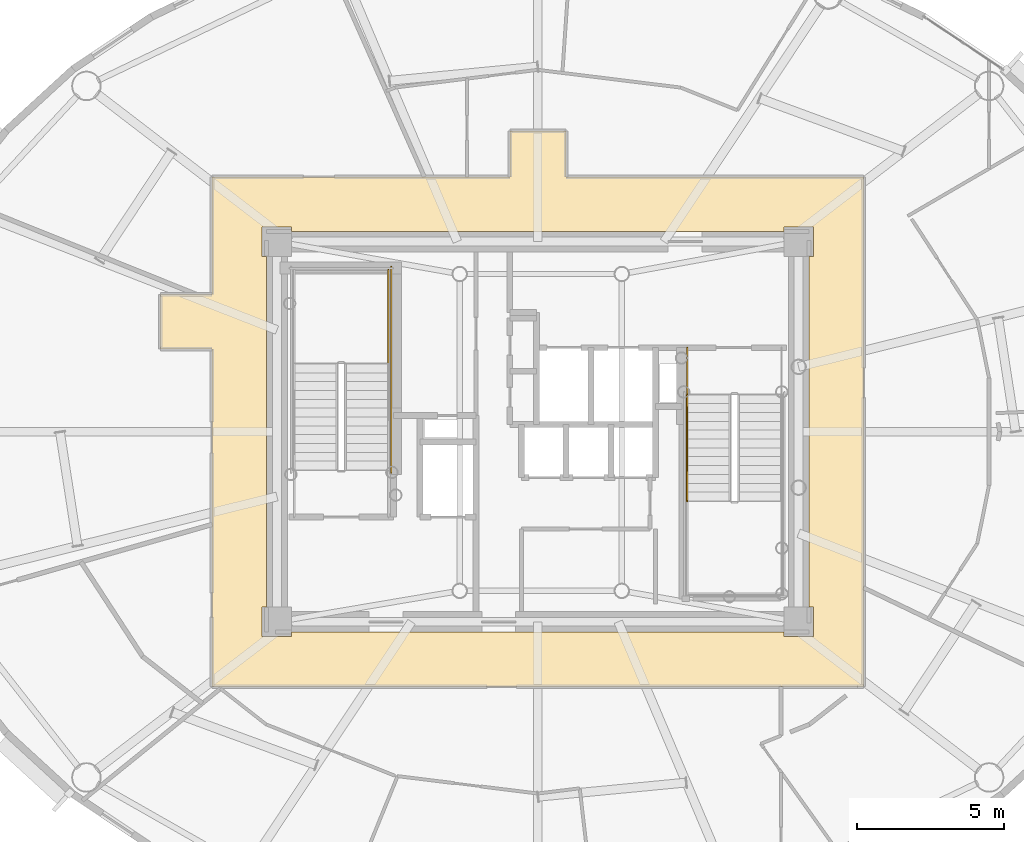
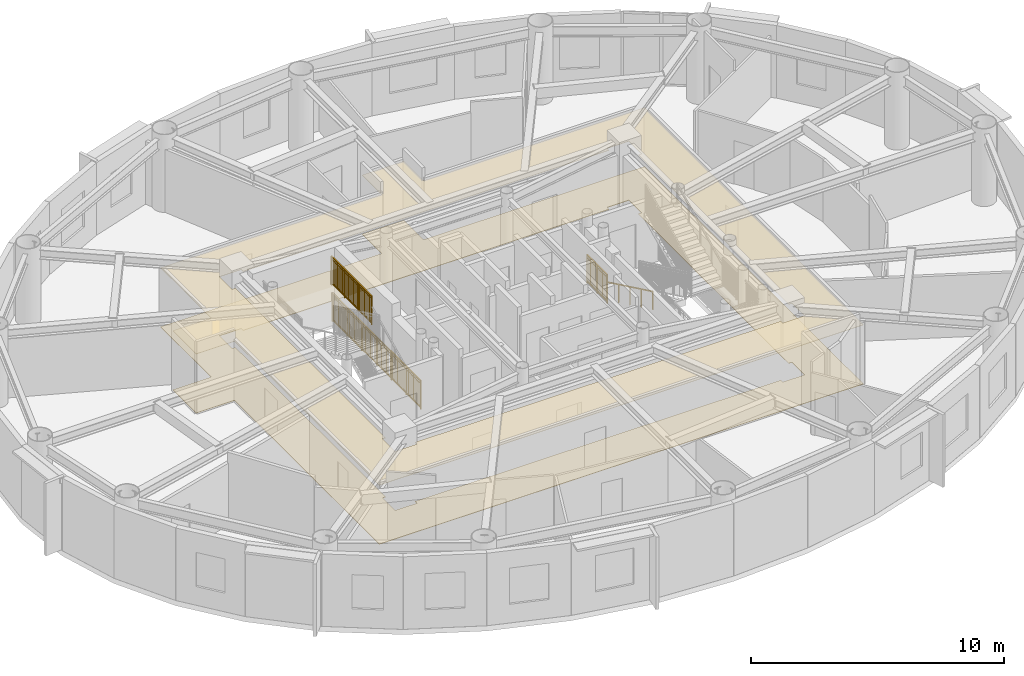
# One storey, part 15 of 16: 4 railings, 2 coverings.
"""IFC4 building model written with IfcOpenShell, lengths in metres."""

import ifcopenshell
import ifcopenshell.guid

model = None  # the IFC model being written
_history = None  # IfcOwnerHistory: only IFC2X3 demands one
_inside = {}  # id of a spatial element -> (the spatial element, [elements in it])
_under = {}  # id of a project, library or spatial element -> (it, [spatial elements below it])
_declared = {}  # id of a project -> (the project, [libraries it declares])
_typed = {}  # id of a type object -> (the type object, [elements of that type])
_made_of = {}  # id of a material, layer set ... -> (it, [elements and type objects made of it])


def new_model(schema):
    """Start an empty IFC model of exactly this schema.

    Asked for "IFC4X3", IfcOpenShell would pick the latest addendum, in which some entities
    have other attributes; the version numbers below select the first issue.
    IFC2X3 requires an IfcOwnerHistory on every rooted entity: one is made here for all.
    """
    global model, _history
    if schema == "IFC4X3":
        model = ifcopenshell.file(schema_version=(4, 3, 0, 0))
    else:
        model = ifcopenshell.file(schema=schema)
    _inside.clear()
    _under.clear()
    _declared.clear()
    _typed.clear()
    _made_of.clear()
    _history = None
    if model.schema == "IFC2X3":
        org = make("IfcOrganization", Name="unknown")
        user = make(
            "IfcPersonAndOrganization",
            ThePerson=make("IfcPerson", FamilyName="unknown"),
            TheOrganization=org,
        )
        app = make(
            "IfcApplication",
            ApplicationDeveloper=org,
            Version="unknown",
            ApplicationFullName="unknown",
            ApplicationIdentifier="unknown",
        )
        _history = make(
            "IfcOwnerHistory",
            OwningUser=user,
            OwningApplication=app,
            ChangeAction="ADDED",
            CreationDate=0,
        )
    return model


def make(cls, **values):
    """One entity of the class cls with the attributes given. An attribute that is None is left unset."""
    return model.create_entity(
        cls, **{name: value for name, value in values.items() if value is not None}
    )


def rooted(cls, **values):
    """An entity with a GlobalId (a new one), such as an element, a storey or a relation."""
    return make(cls, GlobalId=ifcopenshell.guid.new(), OwnerHistory=_history, **values)


def si_unit(unit_type, name, prefix=None):
    """IfcSIUnit, for example si_unit("LENGTHUNIT", "METRE", prefix="MILLI")."""
    return make("IfcSIUnit", UnitType=unit_type, Prefix=prefix, Name=name)


def assignment(units):
    """IfcUnitAssignment: the units of a project."""
    return None if units is None else make("IfcUnitAssignment", Units=units)


def point(xyz):
    """IfcCartesianPoint."""
    return None if xyz is None else make("IfcCartesianPoint", Coordinates=xyz)


def direction(xyz):
    """IfcDirection."""
    return None if xyz is None else make("IfcDirection", DirectionRatios=xyz)


def frame(location, z_axis=None, x_axis=None):
    """IfcAxis2Placement3D, a coordinate frame: its origin and axes. An axis left out is left unset."""
    return make(
        "IfcAxis2Placement3D",
        Location=point(location),
        Axis=direction(z_axis),
        RefDirection=direction(x_axis),
    )


def frame_2d(location, x_axis=None):
    """IfcAxis2Placement2D, a coordinate frame in the plane: its origin and x axis."""
    return make(
        "IfcAxis2Placement2D", Location=point(location), RefDirection=direction(x_axis)
    )


def origin():
    """The frame at (0, 0, 0) with its axes left unset."""
    return frame((0.0, 0.0, 0.0))


def origin_2d():
    """The frame at (0, 0) in the plane with its x axis left unset."""
    return frame_2d((0.0, 0.0))


def place(relative_to, where):
    """IfcLocalPlacement: puts the frame where relative to a parent placement (None: the world)."""
    return make(
        "IfcLocalPlacement", PlacementRelTo=relative_to, RelativePlacement=where
    )


def context(
    kind, dimensions, precision=None, world=None, true_north=None, identifier=None
):
    """IfcGeometricRepresentationContext, for example the 3D "Model" context."""
    return make(
        "IfcGeometricRepresentationContext",
        ContextIdentifier=identifier,
        ContextType=kind,
        CoordinateSpaceDimension=dimensions,
        Precision=precision,
        WorldCoordinateSystem=world,
        TrueNorth=true_north,
    )


def subcontext(parent, identifier, kind, view, scale=None):
    """IfcGeometricRepresentationSubContext, for example "Body" below "Model"."""
    return make(
        "IfcGeometricRepresentationSubContext",
        ContextIdentifier=identifier,
        ContextType=kind,
        ParentContext=parent,
        TargetScale=scale,
        TargetView=view,
    )


def project(units=None, contexts=None):
    """IfcProject with its units and contexts."""
    return rooted(
        "IfcProject",
        Name="project",
        RepresentationContexts=contexts,
        UnitsInContext=assignment(units),
    )


def spatial(cls, under=None, at=None, **own):
    """A site, building, storey or space (cls), placed at a placement, below another one or the project."""
    s = rooted(cls, ObjectPlacement=at, **own)
    if under is not None:
        _under.setdefault(under.id(), (under, []))[1].append(s)
    return s


def polyline(points):
    """IfcPolyline through the points."""
    return make("IfcPolyline", Points=[point(p) for p in points])


def profile(cls, at=None, kind="AREA", **sizes):
    """A parametric profile (cls). Its sizes go by their IFC names, for example OverallWidth=200.0."""
    return make(cls, ProfileType=kind, Position=at, **sizes)


def rectangle(**sizes):
    """IfcRectangleProfileDef."""
    return profile("IfcRectangleProfileDef", **sizes)


def outline(outer, holes=None, kind="AREA"):
    """IfcArbitraryClosedProfileDef: a profile drawn as a closed curve; with holes, ...WithVoids."""
    if holes is None:
        return make("IfcArbitraryClosedProfileDef", ProfileType=kind, OuterCurve=outer)
    return make(
        "IfcArbitraryProfileDefWithVoids",
        ProfileType=kind,
        OuterCurve=outer,
        InnerCurves=holes,
    )


def extrude(swept, where, along, depth):
    """IfcExtrudedAreaSolid: the profile swept, set in the frame where, extruded along a direction by depth."""
    return make(
        "IfcExtrudedAreaSolid",
        SweptArea=swept,
        Position=where,
        ExtrudedDirection=direction(along),
        Depth=depth,
    )


def shape(context_of_items, identifier, shape_type, items):
    """IfcShapeRepresentation: the items that make up one representation, for example the "Body"."""
    return make(
        "IfcShapeRepresentation",
        ContextOfItems=context_of_items,
        RepresentationIdentifier=identifier,
        RepresentationType=shape_type,
        Items=items,
    )


def source(mapping_origin, context_of_items, identifier, shape_type, items):
    """IfcRepresentationMap: a shape defined once, which mapped items show again and again."""
    return make(
        "IfcRepresentationMap",
        MappingOrigin=mapping_origin,
        MappedRepresentation=shape(context_of_items, identifier, shape_type, items),
    )


def transform(
    local_origin,
    x_axis=None,
    y_axis=None,
    z_axis=None,
    scale=None,
    scale2=None,
    scale3=None,
    uniform=True,
):
    """IfcCartesianTransformationOperator3D, or its non-uniform kind. x_axis, y_axis, z_axis: its Axis1, 2, 3."""
    if uniform:
        return make(
            "IfcCartesianTransformationOperator3D",
            Axis1=direction(x_axis),
            Axis2=direction(y_axis),
            LocalOrigin=point(local_origin),
            Scale=scale,
            Axis3=direction(z_axis),
        )
    return make(
        "IfcCartesianTransformationOperator3DnonUniform",
        Axis1=direction(x_axis),
        Axis2=direction(y_axis),
        LocalOrigin=point(local_origin),
        Scale=scale,
        Axis3=direction(z_axis),
        Scale2=scale2,
        Scale3=scale3,
    )


def mapped(mapping_source, mapping_target):
    """IfcMappedItem: shows the shape of a source again, moved by a transform."""
    return make(
        "IfcMappedItem", MappingSource=mapping_source, MappingTarget=mapping_target
    )


def material(Name=None, Category=None):
    """IfcMaterial."""
    return make("IfcMaterial", Name=Name, Category=Category)


def layer(
    of_material, thickness, ventilated=None, Name=None, Category=None, Priority=None
):
    """IfcMaterialLayer: one layer of a wall or slab, of a material (None: an air gap)."""
    return make(
        "IfcMaterialLayer",
        Material=of_material,
        LayerThickness=thickness,
        IsVentilated=ventilated,
        Name=Name,
        Category=Category,
        Priority=Priority,
    )


def layer_set(layers, Name=None):
    """IfcMaterialLayerSet."""
    return make("IfcMaterialLayerSet", MaterialLayers=layers, LayerSetName=Name)


def made_of(thing, what):
    """Note that an element or type object is made of a material, layer set ...; save() writes the relation."""
    if what is not None:
        _made_of.setdefault(what.id(), (what, []))[1].append(thing)
    return thing


def type_object(cls, material=None, **own):
    """A type object (cls), such as IfcWallType, which elements share."""
    return made_of(rooted(cls, **own), material)


def element(
    cls,
    number,
    at=None,
    inside=None,
    cuts=None,
    type_object=None,
    material=None,
    context=None,
    identifier="Body",
    shape_type=None,
    held_by="IfcProductDefinitionShape",
    body=None,
    shapes=None,
    **own,
):
    """One element of the class cls, such as IfcWall. Its Tag is "e" and its number.

    at: its placement. inside: the storey or other place that contains it. cuts: it is an
    opening in that element (IfcRelVoidsElement). A single representation is given by context,
    identifier, shape_type and body (its items); several are given by shapes. held_by: the class
    of the entity that holds the representations. save() writes the other relations.
    """
    e = rooted(cls, Tag="e%d" % number, ObjectPlacement=at, **own)
    if body is not None:
        shapes = [shape(context, identifier, shape_type, body)]
    if shapes is not None:
        e.Representation = make(held_by, Representations=shapes)
    if inside is not None:
        _inside.setdefault(inside.id(), (inside, []))[1].append(e)
    if cuts is not None:
        rooted(
            "IfcRelVoidsElement", RelatingBuildingElement=cuts, RelatedOpeningElement=e
        )
    if type_object is not None:
        _typed.setdefault(type_object.id(), (type_object, []))[1].append(e)
    return made_of(e, material)


def aggregate(whole, parts):
    """IfcRelAggregates: a whole, such as a stair, and the parts it consists of."""
    return rooted("IfcRelAggregates", RelatingObject=whole, RelatedObjects=parts)


def save(model, path):
    """Write the relations noted so far, then the file.

    IfcRelAggregates (storeys below a building ...), IfcRelContainedInSpatialStructure (elements
    in a storey), IfcRelDefinesByType, IfcRelAssociatesMaterial and IfcRelDeclares: one each for
    every whole, place, type object, material and project.
    """
    for whole, parts in _under.values():
        aggregate(whole, parts)
    for where, things in _inside.values():
        rooted(
            "IfcRelContainedInSpatialStructure",
            RelatedElements=things,
            RelatingStructure=where,
        )
    for kind, things in _typed.values():
        rooted("IfcRelDefinesByType", RelatedObjects=things, RelatingType=kind)
    for what, things in _made_of.values():
        rooted("IfcRelAssociatesMaterial", RelatedObjects=things, RelatingMaterial=what)
    for by, libraries in _declared.values():
        rooted("IfcRelDeclares", RelatingContext=by, RelatedDefinitions=libraries)
    model.write(path)


model = new_model("IFC4")

# Units and contexts
model_context = context("Model", 3, precision=1e-05, world=origin(), true_north=direction((0.0, 1.0)))
body_context = subcontext(model_context, "Body", "Model", "MODEL_VIEW")
ifc_project = project(units=[si_unit("LENGTHUNIT", "METRE"), si_unit("AREAUNIT", "SQUARE_METRE"), si_unit("VOLUMEUNIT", "CUBIC_METRE"), si_unit("PLANEANGLEUNIT", "RADIAN"), si_unit("MASSUNIT", "GRAM", prefix="KILO")], contexts=[model_context])

# Site, building, storey
site_placement = place(None, origin())
site = spatial("IfcSite", under=ifc_project, at=site_placement, CompositionType="ELEMENT")
building_placement = place(site_placement, origin())
building = spatial("IfcBuilding", under=site, at=building_placement, Name="Linh Dai School and Residence Tower", CompositionType="ELEMENT")
storey_placement = place(building_placement, frame((0.0, 0.0, 306.75)))
storey = spatial("IfcBuildingStorey", under=building, at=storey_placement, Name="L76", CompositionType="ELEMENT", Elevation=306.75)

# Coverings
ifc_material_1 = material(Name="Mineral Fibre Acoustic Suspended Ceiling", Category="masonry")
ifc_layer_1 = layer(ifc_material_1, 0.02001953125)
ifc_layer_set_1 = layer_set([ifc_layer_1], Name="Mineral Fibre Acoustic Suspended Ceiling")
covering_type_1 = type_object("IfcCoveringType", Name="COV-CEIL-AC-20", PredefinedType="CEILING", material=ifc_layer_set_1)
covering_1_placement = place(storey_placement, frame((0.0, 0.0, 2.85009765625)))
element("IfcCovering", 1, at=covering_1_placement, inside=storey, type_object=covering_type_1, Name="L76 Residential Floor Corridor Suspended Ceiling", PredefinedType="CEILING", context=body_context, shape_type="SweptSolid", body=[
    extrude(outline(polyline([(23.199951171875, 31.64990234375), (24.949951171875, 31.64990234375), (24.949951171875, 35.64990234375), (35.050048828125, 35.64990234375), (35.050048828125, 37.199951171875), (36.949951171875, 37.199951171875), (36.949951171875, 35.64990234375), (47.050048828125, 35.64990234375), (47.050048828125, 18.35009765625), (24.949951171875, 18.35009765625), (24.949951171875, 29.800048828125), (23.199951171875, 29.800048828125), (23.199951171875, 31.64990234375)]), holes=[polyline([(27.64990234375, 33.800048828125), (27.64990234375, 33.949951171875), (26.64990234375, 33.949951171875), (26.64990234375, 32.949951171875), (26.800048828125, 32.949951171875), (26.800048828125, 21.050048828125), (26.64990234375, 21.050048828125), (26.64990234375, 20.050048828125), (27.64990234375, 20.050048828125), (27.64990234375, 20.199951171875), (44.35009765625, 20.199951171875), (44.35009765625, 20.050048828125), (45.35009765625, 20.050048828125), (45.35009765625, 21.050048828125), (45.199951171875, 21.050048828125), (45.199951171875, 32.949951171875), (45.35009765625, 32.949951171875), (45.35009765625, 33.949951171875), (44.35009765625, 33.949951171875), (44.35009765625, 33.800048828125), (27.64990234375, 33.800048828125)])]), origin(), (0.0, 0.0, 1.0), 0.02001953125),
])
ifc_material_2 = material(Name="Polished Terrazzo Floor Finish", Category="masonry")
ifc_layer_2 = layer(ifc_material_2, 0.02490234375)
ifc_layer_set_2 = layer_set([ifc_layer_2], Name="Polished Terrazzo Floor Finish")
covering_type_2 = type_object("IfcCoveringType", Name="COV-FLR-TRZ-25", PredefinedType="FLOORING", material=ifc_layer_set_2)
covering_2_placement = place(storey_placement, origin())
element("IfcCovering", 2, at=covering_2_placement, inside=storey, type_object=covering_type_2, Name="L76 Residential Floor Corridor Floor Finish", PredefinedType="FLOORING", context=body_context, shape_type="SweptSolid", body=[
    extrude(outline(polyline([(23.199951171875, 31.64990234375), (24.949951171875, 31.64990234375), (24.949951171875, 35.64990234375), (35.050048828125, 35.64990234375), (35.050048828125, 37.199951171875), (36.949951171875, 37.199951171875), (36.949951171875, 35.64990234375), (47.050048828125, 35.64990234375), (47.050048828125, 18.35009765625), (24.949951171875, 18.35009765625), (24.949951171875, 29.800048828125), (23.199951171875, 29.800048828125), (23.199951171875, 31.64990234375)]), holes=[polyline([(27.64990234375, 33.800048828125), (27.64990234375, 33.949951171875), (26.64990234375, 33.949951171875), (26.64990234375, 32.949951171875), (26.800048828125, 32.949951171875), (26.800048828125, 21.050048828125), (26.64990234375, 21.050048828125), (26.64990234375, 20.050048828125), (27.64990234375, 20.050048828125), (27.64990234375, 20.199951171875), (44.35009765625, 20.199951171875), (44.35009765625, 20.050048828125), (45.35009765625, 20.050048828125), (45.35009765625, 21.050048828125), (45.199951171875, 21.050048828125), (45.199951171875, 32.949951171875), (45.35009765625, 32.949951171875), (45.35009765625, 33.949951171875), (44.35009765625, 33.949951171875), (44.35009765625, 33.800048828125), (27.64990234375, 33.800048828125)])]), origin(), (0.0, 0.0, 1.0), 0.02001953125),
])

# Railings
ifc_material_3 = material(Name="Structural Steel S355JR", Category="steel")
railing_type_1 = type_object("IfcRailingType", Name="RL-ST-GUARD-1400", PredefinedType="GUARDRAIL", material=ifc_material_3)
shared_shape_1 = source(origin(), body_context, "Body", "SweptSolid", [
    extrude(rectangle(XDim=0.048095703125, YDim=0.048095703125, at=origin_2d()), frame((0.0, 0.0, 1.3759765625), z_axis=(0.0, 1.0, 0.0), x_axis=(-1.0, 0.0, 0.0)), (0.0, 0.0, 1.0), 7.0),
    extrude(rectangle(XDim=0.048095703125, YDim=0.048095703125, at=origin_2d()), frame((0.0, 0.0, 0.10009765625), z_axis=(0.0, 1.0, 0.0), x_axis=(-1.0, 0.0, 0.0)), (0.0, 0.0, 1.0), 7.0),
    extrude(rectangle(XDim=0.030029296875, YDim=0.030029296875, at=origin_2d()), frame((0.0, 0.0, 1.239990234375), z_axis=(0.0, 1.0, 0.0), x_axis=(-1.0, 0.0, 0.0)), (0.0, 0.0, 1.0), 7.0),
    extrude(rectangle(XDim=0.02001953125, YDim=0.02001953125, at=origin_2d()), frame((0.0, 0.09716796875, 0.10009765625)), (0.0, 0.0, 1.0), 1.251708984375),
    extrude(rectangle(XDim=0.02001953125, YDim=0.02001953125, at=origin_2d()), frame((0.0, 0.1943359375, 0.10009765625)), (0.0, 0.0, 1.0), 1.251708984375),
    extrude(rectangle(XDim=0.02001953125, YDim=0.02001953125, at=origin_2d()), frame((0.0, 0.291748046875, 0.10009765625)), (0.0, 0.0, 1.0), 1.251708984375),
    extrude(rectangle(XDim=0.02001953125, YDim=0.02001953125, at=origin_2d()), frame((0.0, 0.388916015625, 0.10009765625)), (0.0, 0.0, 1.0), 1.251708984375),
    extrude(rectangle(XDim=0.02001953125, YDim=0.02001953125, at=origin_2d()), frame((0.0, 0.486083984375, 0.10009765625)), (0.0, 0.0, 1.0), 1.251708984375),
    extrude(rectangle(XDim=0.02001953125, YDim=0.02001953125, at=origin_2d()), frame((0.0, 0.583251953125, 0.10009765625)), (0.0, 0.0, 1.0), 1.251708984375),
    extrude(rectangle(XDim=0.02001953125, YDim=0.02001953125, at=origin_2d()), frame((0.0, 0.6806640625, 0.10009765625)), (0.0, 0.0, 1.0), 1.251708984375),
    extrude(rectangle(XDim=0.02001953125, YDim=0.02001953125, at=origin_2d()), frame((0.0, 0.77783203125, 0.10009765625)), (0.0, 0.0, 1.0), 1.251708984375),
    extrude(rectangle(XDim=0.02001953125, YDim=0.02001953125, at=origin_2d()), frame((0.0, 0.875, 0.10009765625)), (0.0, 0.0, 1.0), 1.251708984375),
    extrude(rectangle(XDim=0.02001953125, YDim=0.02001953125, at=origin_2d()), frame((0.0, 0.97216796875, 0.10009765625)), (0.0, 0.0, 1.0), 1.251708984375),
    extrude(rectangle(XDim=0.02001953125, YDim=0.02001953125, at=origin_2d()), frame((0.0, 1.0693359375, 0.10009765625)), (0.0, 0.0, 1.0), 1.251708984375),
    extrude(rectangle(XDim=0.02001953125, YDim=0.02001953125, at=origin_2d()), frame((0.0, 1.263916015625, 0.10009765625)), (0.0, 0.0, 1.0), 1.251708984375),
    extrude(rectangle(XDim=0.02001953125, YDim=0.02001953125, at=origin_2d()), frame((0.0, 1.361083984375, 0.10009765625)), (0.0, 0.0, 1.0), 1.251708984375),
    extrude(rectangle(XDim=0.02001953125, YDim=0.02001953125, at=origin_2d()), frame((0.0, 1.458251953125, 0.10009765625)), (0.0, 0.0, 1.0), 1.251708984375),
    extrude(rectangle(XDim=0.02001953125, YDim=0.02001953125, at=origin_2d()), frame((0.0, 1.5556640625, 0.10009765625)), (0.0, 0.0, 1.0), 1.251708984375),
    extrude(rectangle(XDim=0.02001953125, YDim=0.02001953125, at=origin_2d()), frame((0.0, 1.65283203125, 0.10009765625)), (0.0, 0.0, 1.0), 1.251708984375),
    extrude(rectangle(XDim=0.02001953125, YDim=0.02001953125, at=origin_2d()), frame((0.0, 1.75, 0.10009765625)), (0.0, 0.0, 1.0), 1.251708984375),
    extrude(rectangle(XDim=0.02001953125, YDim=0.02001953125, at=origin_2d()), frame((0.0, 1.84716796875, 0.10009765625)), (0.0, 0.0, 1.0), 1.251708984375),
    extrude(rectangle(XDim=0.02001953125, YDim=0.02001953125, at=origin_2d()), frame((0.0, 1.9443359375, 0.10009765625)), (0.0, 0.0, 1.0), 1.251708984375),
    extrude(rectangle(XDim=0.02001953125, YDim=0.02001953125, at=origin_2d()), frame((0.0, 2.041748046875, 0.10009765625)), (0.0, 0.0, 1.0), 1.251708984375),
    extrude(rectangle(XDim=0.02001953125, YDim=0.02001953125, at=origin_2d()), frame((0.0, 2.138916015625, 0.10009765625)), (0.0, 0.0, 1.0), 1.251708984375),
    extrude(rectangle(XDim=0.02001953125, YDim=0.02001953125, at=origin_2d()), frame((0.0, 2.236083984375, 0.10009765625)), (0.0, 0.0, 1.0), 1.251708984375),
    extrude(rectangle(XDim=0.02001953125, YDim=0.02001953125, at=origin_2d()), frame((0.0, 2.4306640625, 0.10009765625)), (0.0, 0.0, 1.0), 1.251708984375),
    extrude(rectangle(XDim=0.02001953125, YDim=0.02001953125, at=origin_2d()), frame((0.0, 2.52783203125, 0.10009765625)), (0.0, 0.0, 1.0), 1.251708984375),
    extrude(rectangle(XDim=0.02001953125, YDim=0.02001953125, at=origin_2d()), frame((0.0, 2.625, 0.10009765625)), (0.0, 0.0, 1.0), 1.251708984375),
    extrude(rectangle(XDim=0.02001953125, YDim=0.02001953125, at=origin_2d()), frame((0.0, 2.72216796875, 0.10009765625)), (0.0, 0.0, 1.0), 1.251708984375),
    extrude(rectangle(XDim=0.02001953125, YDim=0.02001953125, at=origin_2d()), frame((0.0, 2.8193359375, 0.10009765625)), (0.0, 0.0, 1.0), 1.251708984375),
    extrude(rectangle(XDim=0.02001953125, YDim=0.02001953125, at=origin_2d()), frame((0.0, 2.916748046875, 0.10009765625)), (0.0, 0.0, 1.0), 1.251708984375),
    extrude(rectangle(XDim=0.02001953125, YDim=0.02001953125, at=origin_2d()), frame((0.0, 3.013916015625, 0.10009765625)), (0.0, 0.0, 1.0), 1.251708984375),
    extrude(rectangle(XDim=0.02001953125, YDim=0.02001953125, at=origin_2d()), frame((0.0, 3.111083984375, 0.10009765625)), (0.0, 0.0, 1.0), 1.251708984375),
    extrude(rectangle(XDim=0.02001953125, YDim=0.02001953125, at=origin_2d()), frame((0.0, 3.208251953125, 0.10009765625)), (0.0, 0.0, 1.0), 1.251708984375),
    extrude(rectangle(XDim=0.02001953125, YDim=0.02001953125, at=origin_2d()), frame((0.0, 3.3056640625, 0.10009765625)), (0.0, 0.0, 1.0), 1.251708984375),
    extrude(rectangle(XDim=0.02001953125, YDim=0.02001953125, at=origin_2d()), frame((0.0, 3.40283203125, 0.10009765625)), (0.0, 0.0, 1.0), 1.251708984375),
    extrude(rectangle(XDim=0.02001953125, YDim=0.02001953125, at=origin_2d()), frame((0.0, 3.59716796875, 0.10009765625)), (0.0, 0.0, 1.0), 1.251708984375),
    extrude(rectangle(XDim=0.02001953125, YDim=0.02001953125, at=origin_2d()), frame((0.0, 3.6943359375, 0.10009765625)), (0.0, 0.0, 1.0), 1.251708984375),
    extrude(rectangle(XDim=0.02001953125, YDim=0.02001953125, at=origin_2d()), frame((0.0, 3.791748046875, 0.10009765625)), (0.0, 0.0, 1.0), 1.251708984375),
    extrude(rectangle(XDim=0.02001953125, YDim=0.02001953125, at=origin_2d()), frame((0.0, 3.888916015625, 0.10009765625)), (0.0, 0.0, 1.0), 1.251708984375),
    extrude(rectangle(XDim=0.02001953125, YDim=0.02001953125, at=origin_2d()), frame((0.0, 3.986083984375, 0.10009765625)), (0.0, 0.0, 1.0), 1.251708984375),
    extrude(rectangle(XDim=0.02001953125, YDim=0.02001953125, at=origin_2d()), frame((0.0, 4.083251953125, 0.10009765625)), (0.0, 0.0, 1.0), 1.251708984375),
    extrude(rectangle(XDim=0.02001953125, YDim=0.02001953125, at=origin_2d()), frame((0.0, 4.1806640625, 0.10009765625)), (0.0, 0.0, 1.0), 1.251708984375),
    extrude(rectangle(XDim=0.02001953125, YDim=0.02001953125, at=origin_2d()), frame((0.0, 4.27783203125, 0.10009765625)), (0.0, 0.0, 1.0), 1.251708984375),
    extrude(rectangle(XDim=0.02001953125, YDim=0.02001953125, at=origin_2d()), frame((0.0, 4.375, 0.10009765625)), (0.0, 0.0, 1.0), 1.251708984375),
    extrude(rectangle(XDim=0.02001953125, YDim=0.02001953125, at=origin_2d()), frame((0.0, 4.47216796875, 0.10009765625)), (0.0, 0.0, 1.0), 1.251708984375),
    extrude(rectangle(XDim=0.02001953125, YDim=0.02001953125, at=origin_2d()), frame((0.0, 4.5693359375, 0.10009765625)), (0.0, 0.0, 1.0), 1.251708984375),
    extrude(rectangle(XDim=0.02001953125, YDim=0.02001953125, at=origin_2d()), frame((0.0, 4.763916015625, 0.10009765625)), (0.0, 0.0, 1.0), 1.251708984375),
    extrude(rectangle(XDim=0.02001953125, YDim=0.02001953125, at=origin_2d()), frame((0.0, 4.861083984375, 0.10009765625)), (0.0, 0.0, 1.0), 1.251708984375),
    extrude(rectangle(XDim=0.02001953125, YDim=0.02001953125, at=origin_2d()), frame((0.0, 4.958251953125, 0.10009765625)), (0.0, 0.0, 1.0), 1.251708984375),
    extrude(rectangle(XDim=0.02001953125, YDim=0.02001953125, at=origin_2d()), frame((0.0, 5.0556640625, 0.10009765625)), (0.0, 0.0, 1.0), 1.251708984375),
    extrude(rectangle(XDim=0.02001953125, YDim=0.02001953125, at=origin_2d()), frame((0.0, 5.15283203125, 0.10009765625)), (0.0, 0.0, 1.0), 1.251708984375),
    extrude(rectangle(XDim=0.02001953125, YDim=0.02001953125, at=origin_2d()), frame((0.0, 5.25, 0.10009765625)), (0.0, 0.0, 1.0), 1.251708984375),
    extrude(rectangle(XDim=0.02001953125, YDim=0.02001953125, at=origin_2d()), frame((0.0, 5.34716796875, 0.10009765625)), (0.0, 0.0, 1.0), 1.251708984375),
    extrude(rectangle(XDim=0.02001953125, YDim=0.02001953125, at=origin_2d()), frame((0.0, 5.4443359375, 0.10009765625)), (0.0, 0.0, 1.0), 1.251708984375),
    extrude(rectangle(XDim=0.02001953125, YDim=0.02001953125, at=origin_2d()), frame((0.0, 5.541748046875, 0.10009765625)), (0.0, 0.0, 1.0), 1.251708984375),
    extrude(rectangle(XDim=0.02001953125, YDim=0.02001953125, at=origin_2d()), frame((0.0, 5.638916015625, 0.10009765625)), (0.0, 0.0, 1.0), 1.251708984375),
    extrude(rectangle(XDim=0.02001953125, YDim=0.02001953125, at=origin_2d()), frame((0.0, 5.736083984375, 0.10009765625)), (0.0, 0.0, 1.0), 1.251708984375),
    extrude(rectangle(XDim=0.02001953125, YDim=0.02001953125, at=origin_2d()), frame((0.0, 5.9306640625, 0.10009765625)), (0.0, 0.0, 1.0), 1.251708984375),
    extrude(rectangle(XDim=0.02001953125, YDim=0.02001953125, at=origin_2d()), frame((0.0, 6.02783203125, 0.10009765625)), (0.0, 0.0, 1.0), 1.251708984375),
    extrude(rectangle(XDim=0.02001953125, YDim=0.02001953125, at=origin_2d()), frame((0.0, 6.125, 0.10009765625)), (0.0, 0.0, 1.0), 1.251708984375),
    extrude(rectangle(XDim=0.02001953125, YDim=0.02001953125, at=origin_2d()), frame((0.0, 6.22216796875, 0.10009765625)), (0.0, 0.0, 1.0), 1.251708984375),
    extrude(rectangle(XDim=0.02001953125, YDim=0.02001953125, at=origin_2d()), frame((0.0, 6.3193359375, 0.10009765625)), (0.0, 0.0, 1.0), 1.251708984375),
    extrude(rectangle(XDim=0.02001953125, YDim=0.02001953125, at=origin_2d()), frame((0.0, 6.416748046875, 0.10009765625)), (0.0, 0.0, 1.0), 1.251708984375),
    extrude(rectangle(XDim=0.02001953125, YDim=0.02001953125, at=origin_2d()), frame((0.0, 6.513916015625, 0.10009765625)), (0.0, 0.0, 1.0), 1.251708984375),
    extrude(rectangle(XDim=0.02001953125, YDim=0.02001953125, at=origin_2d()), frame((0.0, 6.611083984375, 0.10009765625)), (0.0, 0.0, 1.0), 1.251708984375),
    extrude(rectangle(XDim=0.02001953125, YDim=0.02001953125, at=origin_2d()), frame((0.0, 6.708251953125, 0.10009765625)), (0.0, 0.0, 1.0), 1.251708984375),
    extrude(rectangle(XDim=0.02001953125, YDim=0.02001953125, at=origin_2d()), frame((0.0, 6.8056640625, 0.10009765625)), (0.0, 0.0, 1.0), 1.251708984375),
    extrude(rectangle(XDim=0.02001953125, YDim=0.02001953125, at=origin_2d()), frame((0.0, 6.90283203125, 0.10009765625)), (0.0, 0.0, 1.0), 1.251708984375),
    extrude(rectangle(XDim=0.0419921875, YDim=0.0419921875, at=origin_2d()), origin(), (0.0, 0.0, 1.0), 1.3759765625),
    extrude(rectangle(XDim=0.0419921875, YDim=0.0419921875, at=origin_2d()), frame((0.0, 1.166748046875, 0.0)), (0.0, 0.0, 1.0), 1.3759765625),
    extrude(rectangle(XDim=0.0419921875, YDim=0.0419921875, at=origin_2d()), frame((0.0, 2.333251953125, 0.0)), (0.0, 0.0, 1.0), 1.3759765625),
    extrude(rectangle(XDim=0.0419921875, YDim=0.0419921875, at=origin_2d()), frame((0.0, 3.5, 0.0)), (0.0, 0.0, 1.0), 1.3759765625),
    extrude(rectangle(XDim=0.0419921875, YDim=0.0419921875, at=origin_2d()), frame((0.0, 4.666748046875, 0.0)), (0.0, 0.0, 1.0), 1.3759765625),
    extrude(rectangle(XDim=0.0419921875, YDim=0.0419921875, at=origin_2d()), frame((0.0, 5.833251953125, 0.0)), (0.0, 0.0, 1.0), 1.3759765625),
    extrude(rectangle(XDim=0.0419921875, YDim=0.0419921875, at=origin_2d()), frame((0.0, 7.0, 0.0)), (0.0, 0.0, 1.0), 1.3759765625),
])
railing_1_placement = place(storey_placement, frame((31.030029296875, 25.60009765625, 0.0)))
element("IfcRailing", 3, at=railing_1_placement, inside=storey, type_object=railing_type_1, Name="L76 ST1 stair guard 10", PredefinedType="GUARDRAIL", context=body_context, shape_type="MappedRepresentation", body=[
    mapped(shared_shape_1, transform((0.0, 0.0, 0.0), x_axis=(1.0, 0.0, 0.0), y_axis=(0.0, 1.0, 0.0), z_axis=(0.0, 0.0, 1.0), scale=1.0)),
])
shared_shape_2 = source(origin(), body_context, "Body", "SweptSolid", [
    extrude(rectangle(XDim=0.048095703125, YDim=0.048095703125, at=origin_2d()), frame((0.0, 0.0, 1.3759765625), z_axis=(0.0, 1.0, 0.0), x_axis=(-1.0, 0.0, 0.0)), (0.0, 0.0, 1.0), 3.199951171875),
    extrude(rectangle(XDim=0.048095703125, YDim=0.048095703125, at=origin_2d()), frame((0.0, 0.0, 0.10009765625), z_axis=(0.0, 1.0, 0.0), x_axis=(-1.0, 0.0, 0.0)), (0.0, 0.0, 1.0), 3.199951171875),
    extrude(rectangle(XDim=0.030029296875, YDim=0.030029296875, at=origin_2d()), frame((0.0, 0.0, 1.239990234375), z_axis=(0.0, 1.0, 0.0), x_axis=(-1.0, 0.0, 0.0)), (0.0, 0.0, 1.0), 3.199951171875),
    extrude(rectangle(XDim=0.02001953125, YDim=0.02001953125, at=origin_2d()), frame((0.0, 0.096923828125, 0.10009765625)), (0.0, 0.0, 1.0), 1.251708984375),
    extrude(rectangle(XDim=0.02001953125, YDim=0.02001953125, at=origin_2d()), frame((0.0, 0.19384765625, 0.10009765625)), (0.0, 0.0, 1.0), 1.251708984375),
    extrude(rectangle(XDim=0.02001953125, YDim=0.02001953125, at=origin_2d()), frame((0.0, 0.291015625, 0.10009765625)), (0.0, 0.0, 1.0), 1.251708984375),
    extrude(rectangle(XDim=0.02001953125, YDim=0.02001953125, at=origin_2d()), frame((0.0, 0.387939453125, 0.10009765625)), (0.0, 0.0, 1.0), 1.251708984375),
    extrude(rectangle(XDim=0.02001953125, YDim=0.02001953125, at=origin_2d()), frame((0.0, 0.48486328125, 0.10009765625)), (0.0, 0.0, 1.0), 1.251708984375),
    extrude(rectangle(XDim=0.02001953125, YDim=0.02001953125, at=origin_2d()), frame((0.0, 0.581787109375, 0.10009765625)), (0.0, 0.0, 1.0), 1.251708984375),
    extrude(rectangle(XDim=0.02001953125, YDim=0.02001953125, at=origin_2d()), frame((0.0, 0.6787109375, 0.10009765625)), (0.0, 0.0, 1.0), 1.251708984375),
    extrude(rectangle(XDim=0.02001953125, YDim=0.02001953125, at=origin_2d()), frame((0.0, 0.775634765625, 0.10009765625)), (0.0, 0.0, 1.0), 1.251708984375),
    extrude(rectangle(XDim=0.02001953125, YDim=0.02001953125, at=origin_2d()), frame((0.0, 0.872802734375, 0.10009765625)), (0.0, 0.0, 1.0), 1.251708984375),
    extrude(rectangle(XDim=0.02001953125, YDim=0.02001953125, at=origin_2d()), frame((0.0, 0.9697265625, 0.10009765625)), (0.0, 0.0, 1.0), 1.251708984375),
    extrude(rectangle(XDim=0.02001953125, YDim=0.02001953125, at=origin_2d()), frame((0.0, 1.16357421875, 0.10009765625)), (0.0, 0.0, 1.0), 1.251708984375),
    extrude(rectangle(XDim=0.02001953125, YDim=0.02001953125, at=origin_2d()), frame((0.0, 1.260498046875, 0.10009765625)), (0.0, 0.0, 1.0), 1.251708984375),
    extrude(rectangle(XDim=0.02001953125, YDim=0.02001953125, at=origin_2d()), frame((0.0, 1.357666015625, 0.10009765625)), (0.0, 0.0, 1.0), 1.251708984375),
    extrude(rectangle(XDim=0.02001953125, YDim=0.02001953125, at=origin_2d()), frame((0.0, 1.45458984375, 0.10009765625)), (0.0, 0.0, 1.0), 1.251708984375),
    extrude(rectangle(XDim=0.02001953125, YDim=0.02001953125, at=origin_2d()), frame((0.0, 1.551513671875, 0.10009765625)), (0.0, 0.0, 1.0), 1.251708984375),
    extrude(rectangle(XDim=0.02001953125, YDim=0.02001953125, at=origin_2d()), frame((0.0, 1.6484375, 0.10009765625)), (0.0, 0.0, 1.0), 1.251708984375),
    extrude(rectangle(XDim=0.02001953125, YDim=0.02001953125, at=origin_2d()), frame((0.0, 1.745361328125, 0.10009765625)), (0.0, 0.0, 1.0), 1.251708984375),
    extrude(rectangle(XDim=0.02001953125, YDim=0.02001953125, at=origin_2d()), frame((0.0, 1.84228515625, 0.10009765625)), (0.0, 0.0, 1.0), 1.251708984375),
    extrude(rectangle(XDim=0.02001953125, YDim=0.02001953125, at=origin_2d()), frame((0.0, 1.939453125, 0.10009765625)), (0.0, 0.0, 1.0), 1.251708984375),
    extrude(rectangle(XDim=0.02001953125, YDim=0.02001953125, at=origin_2d()), frame((0.0, 2.036376953125, 0.10009765625)), (0.0, 0.0, 1.0), 1.251708984375),
    extrude(rectangle(XDim=0.02001953125, YDim=0.02001953125, at=origin_2d()), frame((0.0, 2.230224609375, 0.10009765625)), (0.0, 0.0, 1.0), 1.251708984375),
    extrude(rectangle(XDim=0.02001953125, YDim=0.02001953125, at=origin_2d()), frame((0.0, 2.3271484375, 0.10009765625)), (0.0, 0.0, 1.0), 1.251708984375),
    extrude(rectangle(XDim=0.02001953125, YDim=0.02001953125, at=origin_2d()), frame((0.0, 2.42431640625, 0.10009765625)), (0.0, 0.0, 1.0), 1.251708984375),
    extrude(rectangle(XDim=0.02001953125, YDim=0.02001953125, at=origin_2d()), frame((0.0, 2.521240234375, 0.10009765625)), (0.0, 0.0, 1.0), 1.251708984375),
    extrude(rectangle(XDim=0.02001953125, YDim=0.02001953125, at=origin_2d()), frame((0.0, 2.6181640625, 0.10009765625)), (0.0, 0.0, 1.0), 1.251708984375),
    extrude(rectangle(XDim=0.02001953125, YDim=0.02001953125, at=origin_2d()), frame((0.0, 2.715087890625, 0.10009765625)), (0.0, 0.0, 1.0), 1.251708984375),
    extrude(rectangle(XDim=0.02001953125, YDim=0.02001953125, at=origin_2d()), frame((0.0, 2.81201171875, 0.10009765625)), (0.0, 0.0, 1.0), 1.251708984375),
    extrude(rectangle(XDim=0.02001953125, YDim=0.02001953125, at=origin_2d()), frame((0.0, 2.908935546875, 0.10009765625)), (0.0, 0.0, 1.0), 1.251708984375),
    extrude(rectangle(XDim=0.02001953125, YDim=0.02001953125, at=origin_2d()), frame((0.0, 3.006103515625, 0.10009765625)), (0.0, 0.0, 1.0), 1.251708984375),
    extrude(rectangle(XDim=0.02001953125, YDim=0.02001953125, at=origin_2d()), frame((0.0, 3.10302734375, 0.10009765625)), (0.0, 0.0, 1.0), 1.251708984375),
    extrude(rectangle(XDim=0.0419921875, YDim=0.0419921875, at=origin_2d()), origin(), (0.0, 0.0, 1.0), 1.3759765625),
    extrude(rectangle(XDim=0.0419921875, YDim=0.0419921875, at=origin_2d()), frame((0.0, 1.066650390625, 0.0)), (0.0, 0.0, 1.0), 1.3759765625),
    extrude(rectangle(XDim=0.0419921875, YDim=0.0419921875, at=origin_2d()), frame((0.0, 2.13330078125, 0.0)), (0.0, 0.0, 1.0), 1.3759765625),
    extrude(rectangle(XDim=0.0419921875, YDim=0.0419921875, at=origin_2d()), frame((0.0, 3.199951171875, 0.0)), (0.0, 0.0, 1.0), 1.3759765625),
])
railing_2_placement = place(storey_placement, frame((30.929931640625, 29.300048828125, 1.875)))
element("IfcRailing", 4, at=railing_2_placement, inside=storey, type_object=railing_type_1, Name="L76 ST1 stair guard 3", PredefinedType="GUARDRAIL", context=body_context, shape_type="MappedRepresentation", body=[
    mapped(shared_shape_2, transform((0.0, 0.0, 0.0), x_axis=(1.0, 0.0, 0.0), y_axis=(0.0, 1.0, 0.0), z_axis=(0.0, 0.0, 1.0), scale=1.0)),
])
ifc_material_4 = material(Name="Brushed Stainless Steel Handrail", Category="steel")
railing_type_2 = type_object("IfcRailingType", Name="RL-ST-HANDRAIL-900", PredefinedType="HANDRAIL", material=ifc_material_4)
shared_shape_3 = source(origin(), body_context, "Body", "SweptSolid", [
    extrude(rectangle(XDim=0.048095703125, YDim=0.048095703125, at=origin_2d()), frame((0.0, 0.0, 0.8759765625), z_axis=(0.0, -0.901262522062, 0.433273431364), x_axis=(1.0, 0.0, 0.0)), (0.0, 0.0, 1.0), 3.994384765625),
    extrude(rectangle(XDim=0.0419921875, YDim=0.0419921875, at=origin_2d()), origin(), (0.0, 0.0, 1.0), 0.8759765625),
    extrude(rectangle(XDim=0.0419921875, YDim=0.0419921875, at=origin_2d()), frame((0.0, -0.89990234375, 0.4326171875)), (0.0, 0.0, 1.0), 0.8759765625),
    extrude(rectangle(XDim=0.0419921875, YDim=0.0419921875, at=origin_2d()), frame((0.0, -1.800048828125, 0.865234375)), (0.0, 0.0, 1.0), 0.8759765625),
    extrude(rectangle(XDim=0.0419921875, YDim=0.0419921875, at=origin_2d()), frame((0.0, -2.7001953125, 1.298095703125)), (0.0, 0.0, 1.0), 0.8759765625),
    extrude(rectangle(XDim=0.0419921875, YDim=0.0419921875, at=origin_2d()), frame((0.0, -3.60009765625, 1.730712890625)), (0.0, 0.0, 1.0), 0.8759765625),
])
railing_3_placement = place(storey_placement, frame((41.070068359375, 28.25, 0.144287109375)))
element("IfcRailing", 5, at=railing_3_placement, inside=storey, type_object=railing_type_2, Name="L76 ST2 stair handrail 1", PredefinedType="HANDRAIL", context=body_context, shape_type="MappedRepresentation", body=[
    mapped(shared_shape_3, transform((0.0, 0.0, 0.0), x_axis=(1.0, 0.0, 0.0), y_axis=(0.0, 1.0, 0.0), z_axis=(0.0, 0.0, 1.0), scale=1.0)),
])
shared_shape_4 = source(origin(), body_context, "Body", "SweptSolid", [
    extrude(rectangle(XDim=0.048095703125, YDim=0.048095703125, at=origin_2d()), frame((0.0, 0.0, 1.3759765625), z_axis=(0.0, -1.0, 0.0), x_axis=(1.0, 0.0, 0.0)), (0.0, 0.0, 1.0), 1.60009765625),
    extrude(rectangle(XDim=0.048095703125, YDim=0.048095703125, at=origin_2d()), frame((0.0, 0.0, 0.10009765625), z_axis=(0.0, -1.0, 0.0), x_axis=(1.0, 0.0, 0.0)), (0.0, 0.0, 1.0), 1.60009765625),
    extrude(rectangle(XDim=0.030029296875, YDim=0.030029296875, at=origin_2d()), frame((0.0, 0.0, 1.239990234375), z_axis=(0.0, -1.0, 0.0), x_axis=(1.0, 0.0, 0.0)), (0.0, 0.0, 1.0), 1.60009765625),
    extrude(rectangle(XDim=0.02001953125, YDim=0.02001953125, at=origin_2d()), frame((0.0, -0.09423828125, 0.10009765625)), (0.0, 0.0, 1.0), 1.251708984375),
    extrude(rectangle(XDim=0.02001953125, YDim=0.02001953125, at=origin_2d()), frame((0.0, -0.188232421875, 0.10009765625)), (0.0, 0.0, 1.0), 1.251708984375),
    extrude(rectangle(XDim=0.02001953125, YDim=0.02001953125, at=origin_2d()), frame((0.0, -0.282470703125, 0.10009765625)), (0.0, 0.0, 1.0), 1.251708984375),
    extrude(rectangle(XDim=0.02001953125, YDim=0.02001953125, at=origin_2d()), frame((0.0, -0.37646484375, 0.10009765625)), (0.0, 0.0, 1.0), 1.251708984375),
    extrude(rectangle(XDim=0.02001953125, YDim=0.02001953125, at=origin_2d()), frame((0.0, -0.470703125, 0.10009765625)), (0.0, 0.0, 1.0), 1.251708984375),
    extrude(rectangle(XDim=0.02001953125, YDim=0.02001953125, at=origin_2d()), frame((0.0, -0.564697265625, 0.10009765625)), (0.0, 0.0, 1.0), 1.251708984375),
    extrude(rectangle(XDim=0.02001953125, YDim=0.02001953125, at=origin_2d()), frame((0.0, -0.658935546875, 0.10009765625)), (0.0, 0.0, 1.0), 1.251708984375),
    extrude(rectangle(XDim=0.02001953125, YDim=0.02001953125, at=origin_2d()), frame((0.0, -0.7529296875, 0.10009765625)), (0.0, 0.0, 1.0), 1.251708984375),
    extrude(rectangle(XDim=0.02001953125, YDim=0.02001953125, at=origin_2d()), frame((0.0, -0.84716796875, 0.10009765625)), (0.0, 0.0, 1.0), 1.251708984375),
    extrude(rectangle(XDim=0.02001953125, YDim=0.02001953125, at=origin_2d()), frame((0.0, -0.941162109375, 0.10009765625)), (0.0, 0.0, 1.0), 1.251708984375),
    extrude(rectangle(XDim=0.02001953125, YDim=0.02001953125, at=origin_2d()), frame((0.0, -1.035400390625, 0.10009765625)), (0.0, 0.0, 1.0), 1.251708984375),
    extrude(rectangle(XDim=0.02001953125, YDim=0.02001953125, at=origin_2d()), frame((0.0, -1.12939453125, 0.10009765625)), (0.0, 0.0, 1.0), 1.251708984375),
    extrude(rectangle(XDim=0.02001953125, YDim=0.02001953125, at=origin_2d()), frame((0.0, -1.2236328125, 0.10009765625)), (0.0, 0.0, 1.0), 1.251708984375),
    extrude(rectangle(XDim=0.02001953125, YDim=0.02001953125, at=origin_2d()), frame((0.0, -1.317626953125, 0.10009765625)), (0.0, 0.0, 1.0), 1.251708984375),
    extrude(rectangle(XDim=0.02001953125, YDim=0.02001953125, at=origin_2d()), frame((0.0, -1.411865234375, 0.10009765625)), (0.0, 0.0, 1.0), 1.251708984375),
    extrude(rectangle(XDim=0.02001953125, YDim=0.02001953125, at=origin_2d()), frame((0.0, -1.505859375, 0.10009765625)), (0.0, 0.0, 1.0), 1.251708984375),
    extrude(rectangle(XDim=0.0419921875, YDim=0.0419921875, at=origin_2d()), origin(), (0.0, 0.0, 1.0), 1.3759765625),
    extrude(rectangle(XDim=0.0419921875, YDim=0.0419921875, at=origin_2d()), frame((0.0, -0.800048828125, 0.0)), (0.0, 0.0, 1.0), 1.3759765625),
    extrude(rectangle(XDim=0.0419921875, YDim=0.0419921875, at=origin_2d()), frame((0.0, -1.60009765625, 0.0)), (0.0, 0.0, 1.0), 1.3759765625),
])
railing_4_placement = place(storey_placement, frame((41.070068359375, 29.85009765625, 0.0)))
element("IfcRailing", 6, at=railing_4_placement, inside=storey, type_object=railing_type_1, Name="L76 ST2 stair guard 8", PredefinedType="GUARDRAIL", context=body_context, shape_type="MappedRepresentation", body=[
    mapped(shared_shape_4, transform((0.0, 0.0, 0.0), x_axis=(1.0, 0.0, 0.0), y_axis=(0.0, 1.0, 0.0), z_axis=(0.0, 0.0, 1.0), scale=1.0)),
])

save(model, "model.ifc")
